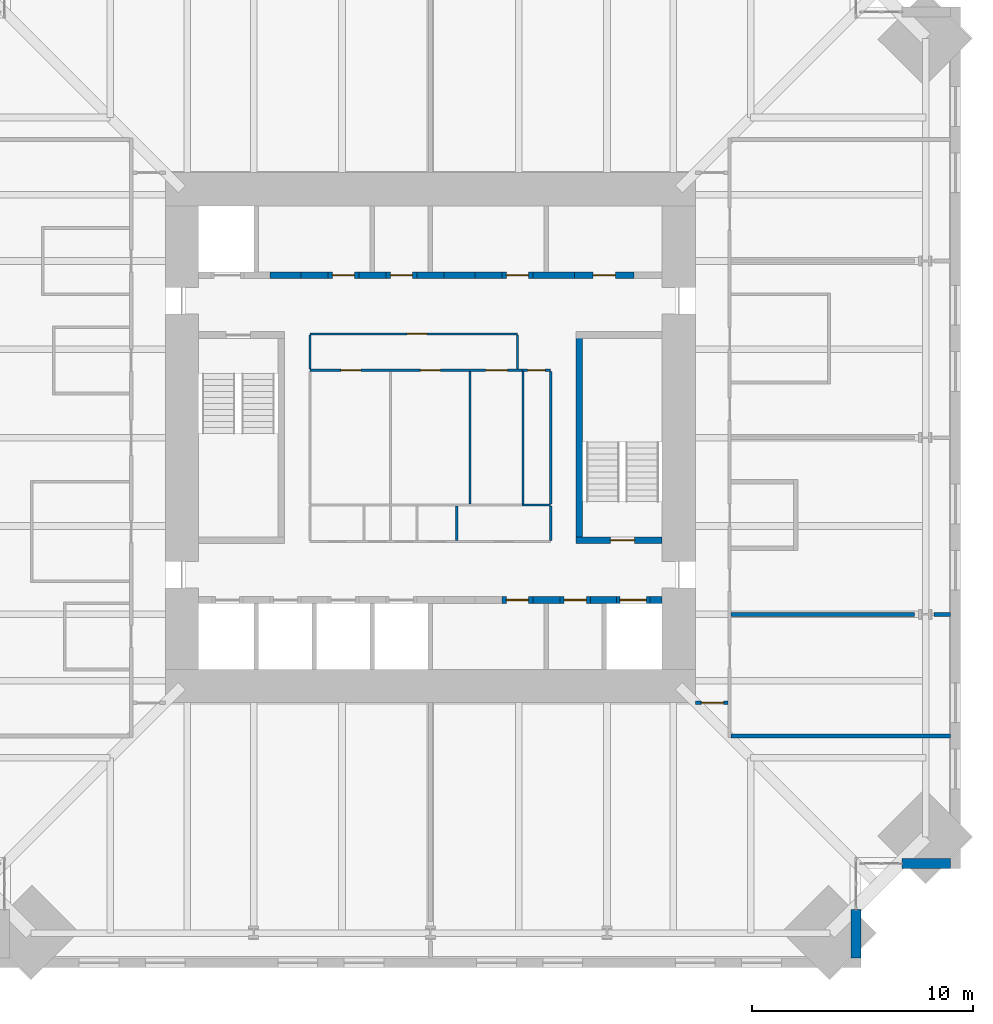
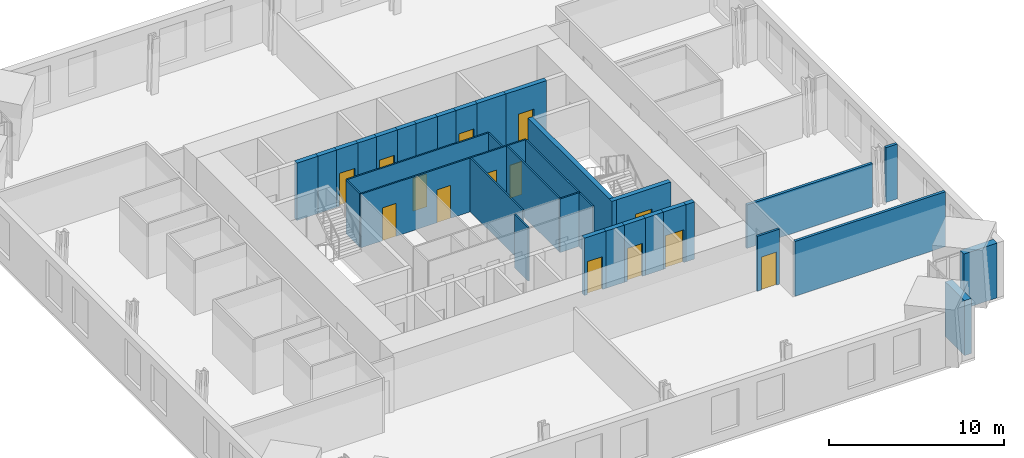
# One storey, part 12 of 15: 36 walls, 14 doors, 14 openings.
"""IFC4 building model written with IfcOpenShell, lengths in metres."""

from ifc_helpers import new_model, si_unit, direction, frame, frame_2d, origin, place, context, subcontext, project, spatial, rectangle, extrude, material, layer, layer_set, type_object, element, fill, save


model = new_model("IFC4")

# Units and contexts
model_context = context("Model", 3, precision=1e-05, world=origin(), true_north=direction((0.0, 1.0)))
body_context = subcontext(model_context, "Body", "Model", "MODEL_VIEW")
ifc_project = project(units=[si_unit("LENGTHUNIT", "METRE"), si_unit("AREAUNIT", "SQUARE_METRE"), si_unit("VOLUMEUNIT", "CUBIC_METRE"), si_unit("PLANEANGLEUNIT", "RADIAN"), si_unit("MASSUNIT", "GRAM", prefix="KILO")], contexts=[model_context])

# Site, building, storey
site_placement = place(None, origin())
site = spatial("IfcSite", under=ifc_project, at=site_placement, CompositionType="ELEMENT")
building_placement = place(site_placement, origin())
building = spatial("IfcBuilding", under=site, at=building_placement, Name="Peilmerk Tower", CompositionType="ELEMENT")
storey_placement = place(building_placement, frame((0.0, 0.0, 209.800048828125)))
storey = spatial("IfcBuildingStorey", under=building, at=storey_placement, Name="L45", CompositionType="ELEMENT", Elevation=209.800048828125)

# Walls
ifc_material_1 = material(Name="Precast concrete C45/55, board-marked finish", Category="concrete")
ifc_layer_1 = layer(ifc_material_1, 0.449951171875)
ifc_layer_set_1 = layer_set([ifc_layer_1], Name="Precast concrete C45/55, board-marked finish")
wall_type_1 = type_object("IfcWallType", Name="EW1 450 precast concrete facade wall, board-marked", PredefinedType="SOLIDWALL", material=ifc_layer_set_1)
for number, where, z_axis, x_axis, name in (
    (1, (19.27490234375, -21.353759765625, 0.0), (0.0, 0.0, 1.0), (0.0, -1.0, 0.0), "Facade wall SEA L45"),
    (2, (21.353759765625, -19.27490234375, 0.0), (0.0, 0.0, 1.0), (1.0, 0.0, 0.0), "Facade wall SEB L45"),
):
    element("IfcWall", number, at=place(storey_placement, frame(where, z_axis=z_axis, x_axis=x_axis)), inside=storey, type_object=wall_type_1, Name=name, PredefinedType="SOLIDWALL", context=body_context, shape_type="SweptSolid", body=[
        extrude(rectangle(XDim=2.1962890625, YDim=0.449951171875, at=frame_2d((1.09814453125, 0.0))), origin(), (0.0, 0.0, 1.0), 3.829833984375),
    ])

# Wall, opening, door
ifc_material_2 = material(Name="Calcium silicate block", Category="masonry")
ifc_layer_2 = layer(ifc_material_2, 0.14990234375)
ifc_layer_set_2 = layer_set([ifc_layer_2], Name="Calcium silicate block")
wall_type_2 = type_object("IfcWallType", Name="IW1 150 corridor partition, EI 60", PredefinedType="PARTITIONING", material=ifc_layer_set_2)
wall_1_placement = place(storey_placement, frame((13.47509765625, -12.0, 0.0), z_axis=(0.0, 0.0, 1.0), x_axis=(-1.0, 0.0, 0.0)))
wall_1 = element("IfcWall", 3, at=wall_1_placement, inside=storey, type_object=wall_type_2, Name="Corridor wall SE L45", PredefinedType="PARTITIONING", context=body_context, shape_type="SweptSolid", body=[
    extrude(rectangle(XDim=1.47509765625, YDim=0.14990234375, at=frame_2d((0.737548828125, 0.0))), origin(), (0.0, 0.0, 1.0), 3.829833984375),
])
opening_1_placement = place(wall_1_placement, frame((0.199951171875, 0.0, 0.0)))
opening_1 = element("IfcOpeningElement", 4, at=opening_1_placement, cuts=wall_1, Name="Opening D1", PredefinedType="OPENING", context=body_context, shape_type="SweptSolid", body=[
    extrude(rectangle(XDim=1.0, YDim=2.300048828125, at=frame_2d((0.5, 1.14990234375))), frame((0.0, 0.0849609375, 0.0), z_axis=(0.0, -1.0, 0.0), x_axis=(1.0, 0.0, 0.0)), (0.0, 0.0, 1.0), 0.169921875),
])
ifc_material_3 = material(Name="Timber door in steel frame", Category="steel")
door_type_1 = type_object("IfcDoorType", Name="D1 1000x2300 room door, EI2 30", OperationType="SINGLE_SWING_LEFT", PredefinedType="DOOR", material=ifc_material_3)
door_1_placement = place(opening_1_placement, origin())
door_1 = element("IfcDoor", 5, at=door_1_placement, inside=storey, type_object=door_type_1, Name="Door Open workspace L45", OperationType="SINGLE_SWING_LEFT", OverallHeight=2.300048828125, OverallWidth=1.0, PredefinedType="DOOR", context=body_context, shape_type="SweptSolid", body=[
    extrude(rectangle(XDim=1.0, YDim=2.300048828125, at=frame_2d((0.5, 1.14990234375))), frame((0.0, 0.02490234375, 0.0), z_axis=(0.0, -1.0, 0.0), x_axis=(1.0, 0.0, 0.0)), (0.0, 0.0, 1.0), 0.050048828125),
])
fill(opening_1, door_1)

# Wall
ifc_material_4 = material(Name="Concrete C35/45", Category="concrete")
ifc_layer_3 = layer(ifc_material_4, 0.300048828125)
ifc_layer_set_3 = layer_set([ifc_layer_3], Name="Concrete C35/45")
wall_type_3 = type_object("IfcWallType", Name="IW3 300 concrete stair enclosure wall, EI 120", PredefinedType="SOLIDWALL", material=ifc_layer_set_3)
wall_2_placement = place(storey_placement, frame((6.75, -4.800048828125, 0.0), z_axis=(0.0, 0.0, 1.0), x_axis=(0.0, 1.0, 0.0)))
element("IfcWall", 6, at=wall_2_placement, inside=storey, type_object=wall_type_3, Name="Stair 2 enclosure L45", PredefinedType="SOLIDWALL", context=body_context, shape_type="SweptSolid", body=[
    extrude(rectangle(XDim=9.60009765625, YDim=0.300048828125, at=frame_2d((4.800048828125, 0.0))), origin(), (0.0, 0.0, 1.0), 3.75),
])

# Wall, opening, door
wall_3_placement = place(storey_placement, frame((10.5, -4.64990234375, 0.0), z_axis=(0.0, 0.0, 1.0), x_axis=(-1.0, 0.0, 0.0)))
wall_3 = element("IfcWall", 7, at=wall_3_placement, inside=storey, type_object=wall_type_3, Name="Stair 2 enclosure L45", PredefinedType="SOLIDWALL", context=body_context, shape_type="SweptSolid", body=[
    extrude(rectangle(XDim=3.89990234375, YDim=0.300048828125, at=frame_2d((1.949951171875, 0.0))), origin(), (0.0, 0.0, 1.0), 3.75),
])
opening_2_placement = place(wall_3_placement, frame((1.25, 0.0, 0.0)))
opening_2 = element("IfcOpeningElement", 8, at=opening_2_placement, cuts=wall_3, Name="Opening D4", PredefinedType="OPENING", context=body_context, shape_type="SweptSolid", body=[
    extrude(rectangle(XDim=1.10009765625, YDim=2.300048828125, at=frame_2d((0.550048828125, 1.14990234375))), frame((0.0, 0.159912109375, 0.0), z_axis=(0.0, -1.0, 0.0), x_axis=(1.0, 0.0, 0.0)), (0.0, 0.0, 1.0), 0.320068359375),
])
ifc_material_5 = material(Name="Steel door in steel frame", Category="steel")
door_type_2 = type_object("IfcDoorType", Name="D4 1100x2300 stair door, EI2 60", OperationType="SINGLE_SWING_RIGHT", PredefinedType="DOOR", material=ifc_material_5)
door_2_placement = place(opening_2_placement, frame((1.10009765625, 0.0, 0.0), z_axis=(0.0, 0.0, 1.0), x_axis=(-1.0, 0.0, 0.0)))
door_2 = element("IfcDoor", 9, at=door_2_placement, inside=storey, type_object=door_type_2, Name="Stair 2 door L45", OperationType="SINGLE_SWING_RIGHT", OverallHeight=2.300048828125, OverallWidth=1.10009765625, PredefinedType="DOOR", context=body_context, shape_type="SweptSolid", body=[
    extrude(rectangle(XDim=1.10009765625, YDim=2.300048828125, at=frame_2d((0.550048828125, 1.14990234375))), frame((0.0, 0.02490234375, 0.0), z_axis=(0.0, -1.0, 0.0), x_axis=(1.0, 0.0, 0.0)), (0.0, 0.0, 1.0), 0.050048828125),
])
fill(opening_2, door_2)

# Wall, openings, doors
ifc_material_6 = material(Name="Plasterboard on steel studs", Category="steel")
ifc_layer_4 = layer(ifc_material_6, 0.10009765625)
ifc_layer_set_4 = layer_set([ifc_layer_4], Name="Plasterboard on steel studs")
wall_type_4 = type_object("IfcWallType", Name="IW4 100 WC partition", PredefinedType="PARTITIONING", material=ifc_layer_set_4)
wall_4_placement = place(storey_placement, frame((-5.449951171875, 3.050048828125, 0.0), z_axis=(0.0, 0.0, 1.0), x_axis=(1.0, 0.0, 0.0)))
wall_4 = element("IfcWall", 10, at=wall_4_placement, inside=storey, type_object=wall_type_4, Name="WC wall L45", PredefinedType="PARTITIONING", context=body_context, shape_type="SweptSolid", body=[
    extrude(rectangle(XDim=9.599853515625, YDim=0.10009765625, at=frame_2d((4.7998046875, 0.0))), origin(), (0.0, 0.0, 1.0), 3.75),
])
opening_3_placement = place(wall_4_placement, frame((1.39990234375, 0.0, 0.0)))
opening_3 = element("IfcOpeningElement", 11, at=opening_3_placement, cuts=wall_4, Name="Opening D5", PredefinedType="OPENING", context=body_context, shape_type="SweptSolid", body=[
    extrude(rectangle(XDim=0.89990234375, YDim=2.300048828125, at=frame_2d((0.449951171875, 1.14990234375))), frame((0.0, 0.06005859375, 0.0), z_axis=(0.0, -1.0, 0.0), x_axis=(1.0, 0.0, 0.0)), (0.0, 0.0, 1.0), 0.1201171875),
])
opening_4_placement = place(wall_4_placement, frame((5.0, 0.0, 0.0)))
opening_4 = element("IfcOpeningElement", 12, at=opening_4_placement, cuts=wall_4, Name="Opening D5", PredefinedType="OPENING", context=body_context, shape_type="SweptSolid", body=[
    extrude(rectangle(XDim=0.89990234375, YDim=2.300048828125, at=frame_2d((0.449951171875, 1.14990234375))), frame((0.0, 0.06005859375, 0.0), z_axis=(0.0, -1.0, 0.0), x_axis=(1.0, 0.0, 0.0)), (0.0, 0.0, 1.0), 0.1201171875),
])
opening_5_placement = place(wall_4_placement, frame((7.949951171875, 0.0, 0.0)))
opening_5 = element("IfcOpeningElement", 13, at=opening_5_placement, cuts=wall_4, Name="Opening D6", PredefinedType="OPENING", context=body_context, shape_type="SweptSolid", body=[
    extrude(rectangle(XDim=1.0, YDim=2.300048828125, at=frame_2d((0.5, 1.14990234375))), frame((0.0, 0.06005859375, 0.0), z_axis=(0.0, -1.0, 0.0), x_axis=(1.0, 0.0, 0.0)), (0.0, 0.0, 1.0), 0.1201171875),
])
door_type_3 = type_object("IfcDoorType", Name="D5 900x2300 WC door", OperationType="SINGLE_SWING_LEFT", PredefinedType="DOOR", material=ifc_material_3)
door_3_placement = place(opening_3_placement, frame((0.89990234375, 0.0, 0.0), z_axis=(0.0, 0.0, 1.0), x_axis=(-1.0, 0.0, 0.0)))
door_3 = element("IfcDoor", 14, at=door_3_placement, inside=storey, type_object=door_type_3, Name="Male toilets door L45", OperationType="SINGLE_SWING_LEFT", OverallHeight=2.300048828125, OverallWidth=0.89990234375, PredefinedType="DOOR", context=body_context, shape_type="SweptSolid", body=[
    extrude(rectangle(XDim=0.89990234375, YDim=2.300048828125, at=frame_2d((0.449951171875, 1.14990234375))), frame((0.0, 0.02490234375, 0.0), z_axis=(0.0, -1.0, 0.0), x_axis=(1.0, 0.0, 0.0)), (0.0, 0.0, 1.0), 0.050048828125),
])
fill(opening_3, door_3)
door_4_placement = place(opening_4_placement, frame((0.89990234375, 0.0, 0.0), z_axis=(0.0, 0.0, 1.0), x_axis=(-1.0, 0.0, 0.0)))
door_4 = element("IfcDoor", 15, at=door_4_placement, inside=storey, type_object=door_type_3, Name="Female toilets door L45", OperationType="SINGLE_SWING_LEFT", OverallHeight=2.300048828125, OverallWidth=0.89990234375, PredefinedType="DOOR", context=body_context, shape_type="SweptSolid", body=[
    extrude(rectangle(XDim=0.89990234375, YDim=2.300048828125, at=frame_2d((0.449951171875, 1.14990234375))), frame((0.0, 0.02490234375, 0.0), z_axis=(0.0, -1.0, 0.0), x_axis=(1.0, 0.0, 0.0)), (0.0, 0.0, 1.0), 0.050048828125),
])
fill(opening_4, door_4)
door_type_4 = type_object("IfcDoorType", Name="D6 1000x2300 accessible WC door", OperationType="SLIDING_TO_LEFT", PredefinedType="DOOR", material=ifc_material_3)
door_5_placement = place(opening_5_placement, frame((1.0, 0.0, 0.0), z_axis=(0.0, 0.0, 1.0), x_axis=(-1.0, 0.0, 0.0)))
door_5 = element("IfcDoor", 16, at=door_5_placement, inside=storey, type_object=door_type_4, Name="Accessible WC door L45", OperationType="SLIDING_TO_LEFT", OverallHeight=2.300048828125, OverallWidth=1.0, PredefinedType="DOOR", context=body_context, shape_type="SweptSolid", body=[
    extrude(rectangle(XDim=1.0, YDim=2.300048828125, at=frame_2d((0.5, 1.14990234375))), frame((0.0, 0.02490234375, 0.0), z_axis=(0.0, -1.0, 0.0), x_axis=(1.0, 0.0, 0.0)), (0.0, 0.0, 1.0), 0.050048828125),
])
fill(opening_5, door_5)

# Wall
wall_5_placement = place(storey_placement, frame((1.800048828125, -3.0, 0.0), z_axis=(0.0, 0.0, 1.0), x_axis=(0.0, 1.0, 0.0)))
element("IfcWall", 17, at=wall_5_placement, inside=storey, type_object=wall_type_4, Name="WC wall L45", PredefinedType="PARTITIONING", context=body_context, shape_type="SweptSolid", body=[
    extrude(rectangle(XDim=6.0, YDim=0.10009765625, at=frame_2d((3.0, 0.0))), origin(), (0.0, 0.0, 1.0), 3.75),
])

# Wall, opening, door
ifc_material_7 = material(Name="Calcium silicate board on steel studs", Category="steel")
ifc_layer_5 = layer(ifc_material_7, 0.10009765625)
ifc_layer_set_5 = layer_set([ifc_layer_5], Name="Calcium silicate board on steel studs")
wall_type_5 = type_object("IfcWallType", Name="IW5 100 riser enclosure wall, EI 60", PredefinedType="PARTITIONING", material=ifc_layer_set_5)
wall_6_placement = place(storey_placement, frame((4.14990234375, 3.050048828125, 0.0), z_axis=(0.0, 0.0, 1.0), x_axis=(1.0, 0.0, 0.0)))
wall_6 = element("IfcWall", 18, at=wall_6_placement, inside=storey, type_object=wall_type_5, Name="Riser wall L45", PredefinedType="PARTITIONING", context=body_context, shape_type="SweptSolid", body=[
    extrude(rectangle(XDim=1.300048828125, YDim=0.10009765625, at=frame_2d((0.64990234375, 0.0))), origin(), (0.0, 0.0, 1.0), 3.75),
])
opening_6_placement = place(wall_6_placement, frame((0.25, 0.0, 0.0)))
opening_6 = element("IfcOpeningElement", 19, at=opening_6_placement, cuts=wall_6, Name="Opening D7", PredefinedType="OPENING", context=body_context, shape_type="SweptSolid", body=[
    extrude(rectangle(XDim=0.800048828125, YDim=2.300048828125, at=frame_2d((0.39990234375, 1.14990234375))), frame((0.0, 0.06005859375, 0.0), z_axis=(0.0, -1.0, 0.0), x_axis=(1.0, 0.0, 0.0)), (0.0, 0.0, 1.0), 0.1201171875),
])
door_type_5 = type_object("IfcDoorType", Name="D7 800x2300 riser access door, EI2 60", OperationType="SINGLE_SWING_RIGHT", PredefinedType="DOOR", material=ifc_material_5)
door_6_placement = place(opening_6_placement, frame((0.800048828125, 0.0, 0.0), z_axis=(0.0, 0.0, 1.0), x_axis=(-1.0, 0.0, 0.0)))
door_6 = element("IfcDoor", 20, at=door_6_placement, inside=storey, type_object=door_type_5, Name="Plumbing riser door L45", OperationType="SINGLE_SWING_RIGHT", OverallHeight=2.300048828125, OverallWidth=0.800048828125, PredefinedType="DOOR", context=body_context, shape_type="SweptSolid", body=[
    extrude(rectangle(XDim=0.800048828125, YDim=2.300048828125, at=frame_2d((0.39990234375, 1.14990234375))), frame((0.0, 0.02490234375, 0.0), z_axis=(0.0, -1.0, 0.0), x_axis=(1.0, 0.0, 0.0)), (0.0, 0.0, 1.0), 0.050048828125),
])
fill(opening_6, door_6)

# Walls
wall_7_placement = place(storey_placement, frame((5.449951171875, -3.050048828125, 0.0), z_axis=(0.0, 0.0, 1.0), x_axis=(-1.0, 0.0, 0.0)))
element("IfcWall", 21, at=wall_7_placement, inside=storey, type_object=wall_type_5, Name="Riser wall L45", PredefinedType="PARTITIONING", context=body_context, shape_type="SweptSolid", body=[
    extrude(rectangle(XDim=1.300048828125, YDim=0.10009765625, at=frame_2d((0.64990234375, 0.0))), origin(), (0.0, 0.0, 1.0), 3.75),
])
for number, where, z_axis, x_axis, name in (
    (22, (5.449951171875, 3.0, 0.0), (0.0, 0.0, 1.0), (0.0, -1.0, 0.0), "Riser wall L45"),
    (23, (4.199951171875, -3.0, 0.0), (0.0, 0.0, 1.0), (0.0, 1.0, 0.0), "Riser wall L45"),
):
    element("IfcWall", number, at=place(storey_placement, frame(where, z_axis=z_axis, x_axis=x_axis)), inside=storey, type_object=wall_type_5, Name=name, PredefinedType="PARTITIONING", context=body_context, shape_type="SweptSolid", body=[
        extrude(rectangle(XDim=6.0, YDim=0.10009765625, at=frame_2d((3.0, 0.0))), origin(), (0.0, 0.0, 1.0), 3.75),
    ])
for number, where, z_axis, x_axis, name in (
    (24, (5.449951171875, -3.10009765625, 0.0), (0.0, 0.0, 1.0), (0.0, -1.0, 0.0), "Riser wall L45"),
    (25, (1.199951171875, -3.10009765625, 0.0), (0.0, 0.0, 1.0), (0.0, -1.0, 0.0), "Riser wall L45"),
):
    element("IfcWall", number, at=place(storey_placement, frame(where, z_axis=z_axis, x_axis=x_axis)), inside=storey, type_object=wall_type_5, Name=name, PredefinedType="PARTITIONING", context=body_context, shape_type="SweptSolid", body=[
        extrude(rectangle(XDim=1.5498046875, YDim=0.10009765625, at=frame_2d((0.77490234375, 0.0))), origin(), (0.0, 0.0, 1.0), 3.75),
    ])
ifc_layer_6 = layer(ifc_material_2, 0.175048828125)
ifc_layer_set_6 = layer_set([ifc_layer_6], Name="Calcium silicate block")
wall_type_6 = type_object("IfcWallType", Name="IW8 175 tenant separating wall, EI 60", PredefinedType="PARTITIONING", material=ifc_layer_set_6)
wall_8_placement = place(storey_placement, frame((23.550048828125, -13.5, 0.0), z_axis=(0.0, 0.0, 1.0), x_axis=(-1.0, 0.0, 0.0)))
element("IfcWall", 26, at=wall_8_placement, inside=storey, type_object=wall_type_6, Name="Tenant separating wall SE L45", PredefinedType="PARTITIONING", context=body_context, shape_type="SweptSolid", body=[
    extrude(rectangle(XDim=9.925048828125, YDim=0.175048828125, at=frame_2d((4.96240234375, 0.0))), origin(), (0.0, 0.0, 1.0), 3.829833984375),
])
wall_9_placement = place(storey_placement, frame((13.625, -8.0, 0.0), z_axis=(0.0, 0.0, 1.0), x_axis=(1.0, 0.0, 0.0)))
element("IfcWall", 27, at=wall_9_placement, inside=storey, type_object=wall_type_6, Name="Tenant separating wall E1 L45", PredefinedType="PARTITIONING", context=body_context, shape_type="SweptSolid", body=[
    extrude(rectangle(XDim=8.286865234375, YDim=0.175048828125, at=frame_2d((4.1435546875, 0.0))), origin(), (0.0, 0.0, 1.0), 3.0400390625),
])
wall_10_placement = place(storey_placement, frame((22.801025390625, -8.0, 0.0), z_axis=(0.0, 0.0, 1.0), x_axis=(1.0, 0.0, 0.0)))
element("IfcWall", 28, at=wall_10_placement, inside=storey, type_object=wall_type_6, Name="Tenant separating wall E1b L45", PredefinedType="PARTITIONING", context=body_context, shape_type="SweptSolid", body=[
    extrude(rectangle(XDim=0.7490234375, YDim=0.175048828125, at=frame_2d((0.37451171875, 0.0))), origin(), (0.0, 0.0, 1.0), 3.829833984375),
])

# Wall, opening, door
ifc_material_8 = material(Name="Fire-resisting plasterboard on steel studs", Category="steel")
ifc_layer_7 = layer(ifc_material_8, 0.10009765625)
ifc_layer_set_7 = layer_set([ifc_layer_7], Name="Fire-resisting plasterboard on steel studs")
wall_type_7 = type_object("IfcWallType", Name="IW9 100 WC lobby wall, EI 30", PredefinedType="PARTITIONING", material=ifc_layer_set_7)
wall_11_placement = place(storey_placement, frame((-5.449951171875, 4.699951171875, 0.0), z_axis=(0.0, 0.0, 1.0), x_axis=(1.0, 0.0, 0.0)))
wall_11 = element("IfcWall", 29, at=wall_11_placement, inside=storey, type_object=wall_type_7, Name="WC lobby wall L45", PredefinedType="PARTITIONING", context=body_context, shape_type="SweptSolid", body=[
    extrude(rectangle(XDim=9.39990234375, YDim=0.10009765625, at=frame_2d((4.699951171875, 0.0))), origin(), (0.0, 0.0, 1.0), 3.75),
])
opening_7_placement = place(wall_11_placement, frame((4.39990234375, 0.0, 0.0)))
opening_7 = element("IfcOpeningElement", 30, at=opening_7_placement, cuts=wall_11, Name="Opening D11", PredefinedType="OPENING", context=body_context, shape_type="SweptSolid", body=[
    extrude(rectangle(XDim=0.89990234375, YDim=2.300048828125, at=frame_2d((0.449951171875, 1.14990234375))), frame((0.0, 0.06005859375, 0.0), z_axis=(0.0, -1.0, 0.0), x_axis=(1.0, 0.0, 0.0)), (0.0, 0.0, 1.0), 0.1201171875),
])
door_type_6 = type_object("IfcDoorType", Name="D11 900x2300 WC lobby door, EI2 30", OperationType="SINGLE_SWING_LEFT", PredefinedType="DOOR", material=ifc_material_3)
door_7_placement = place(opening_7_placement, frame((0.89990234375, 0.0, 0.0), z_axis=(0.0, 0.0, 1.0), x_axis=(-1.0, 0.0, 0.0)))
door_7 = element("IfcDoor", 31, at=door_7_placement, inside=storey, type_object=door_type_6, Name="WC lobby door L45", OperationType="SINGLE_SWING_LEFT", OverallHeight=2.300048828125, OverallWidth=0.89990234375, PredefinedType="DOOR", context=body_context, shape_type="SweptSolid", body=[
    extrude(rectangle(XDim=0.89990234375, YDim=2.300048828125, at=frame_2d((0.449951171875, 1.14990234375))), frame((0.0, 0.02490234375, 0.0), z_axis=(0.0, -1.0, 0.0), x_axis=(1.0, 0.0, 0.0)), (0.0, 0.0, 1.0), 0.050048828125),
])
fill(opening_7, door_7)

# Walls
for number, where, z_axis, x_axis, name in (
    (32, (-5.449951171875, 3.10009765625, 0.0), (0.0, 0.0, 1.0), (0.0, 1.0, 0.0), "WC lobby wall L45"),
    (33, (3.949951171875, 3.10009765625, 0.0), (0.0, 0.0, 1.0), (0.0, 1.0, 0.0), "WC lobby wall L45"),
):
    element("IfcWall", number, at=place(storey_placement, frame(where, z_axis=z_axis, x_axis=x_axis)), inside=storey, type_object=wall_type_7, Name=name, PredefinedType="PARTITIONING", context=body_context, shape_type="SweptSolid", body=[
        extrude(rectangle(XDim=1.5498046875, YDim=0.10009765625, at=frame_2d((0.77490234375, 0.0))), origin(), (0.0, 0.0, 1.0), 3.75),
    ])
ifc_layer_8 = layer(ifc_material_2, 0.300048828125)
ifc_layer_set_8 = layer_set([ifc_layer_8], Name="Calcium silicate block")
wall_type_8 = type_object("IfcWallType", Name="SH2 300 lift landing door panel, EI 120", PredefinedType="PARTITIONING", material=ifc_layer_set_8)
wall_12_placement = place(storey_placement, frame((-7.262451171875, 7.35009765625, 0.0), z_axis=(0.0, 0.0, 1.0), x_axis=(1.0, 0.0, 0.0)))
element("IfcWall", 34, at=wall_12_placement, inside=storey, type_object=wall_type_8, Name="Lift door panel N A1 L45", PredefinedType="PARTITIONING", context=body_context, shape_type="SweptSolid", body=[
    extrude(rectangle(XDim=1.39990234375, YDim=0.300048828125, at=frame_2d((0.699951171875, 0.0))), origin(), (0.0, 0.0, 1.0), 4.0),
])

# Wall, opening, door
wall_13_placement = place(storey_placement, frame((-4.637451171875, 7.35009765625, 0.0), z_axis=(0.0, 0.0, 1.0), x_axis=(1.0, 0.0, 0.0)))
wall_13 = element("IfcWall", 35, at=wall_13_placement, inside=storey, type_object=wall_type_8, Name="Lift door panel N A2 L45", PredefinedType="PARTITIONING", context=body_context, shape_type="SweptSolid", body=[
    extrude(rectangle(XDim=1.39990234375, YDim=0.300048828125, at=frame_2d((0.699951171875, 0.0))), origin(), (0.0, 0.0, 1.0), 4.0),
])
opening_8_placement = place(wall_13_placement, frame((0.199951171875, 0.0, 0.0)))
opening_8 = element("IfcOpeningElement", 36, at=opening_8_placement, cuts=wall_13, Name="Opening D10", PredefinedType="OPENING", context=body_context, shape_type="SweptSolid", body=[
    extrude(rectangle(XDim=1.0, YDim=2.300048828125, at=frame_2d((0.5, 1.14990234375))), frame((0.0, 0.159912109375, 0.0), z_axis=(0.0, -1.0, 0.0), x_axis=(1.0, 0.0, 0.0)), (0.0, 0.0, 1.0), 0.320068359375),
])
door_type_7 = type_object("IfcDoorType", Name="D10 1000x2300 core room door, EI2 60", OperationType="SINGLE_SWING_RIGHT", PredefinedType="DOOR", material=ifc_material_5)
door_8_placement = place(opening_8_placement, origin())
door_8 = element("IfcDoor", 37, at=door_8_placement, inside=storey, type_object=door_type_7, Name="Door Staff room L45", OperationType="SINGLE_SWING_RIGHT", OverallHeight=2.300048828125, OverallWidth=1.0, PredefinedType="DOOR", context=body_context, shape_type="SweptSolid", body=[
    extrude(rectangle(XDim=1.0, YDim=2.300048828125, at=frame_2d((0.5, 1.14990234375))), frame((0.0, 0.02490234375, 0.0), z_axis=(0.0, -1.0, 0.0), x_axis=(1.0, 0.0, 0.0)), (0.0, 0.0, 1.0), 0.050048828125),
])
fill(opening_8, door_8)

wall_14_placement = place(storey_placement, frame((-2.012451171875, 7.35009765625, 0.0), z_axis=(0.0, 0.0, 1.0), x_axis=(1.0, 0.0, 0.0)))
wall_14 = element("IfcWall", 38, at=wall_14_placement, inside=storey, type_object=wall_type_8, Name="Lift door panel N A3 L45", PredefinedType="PARTITIONING", context=body_context, shape_type="SweptSolid", body=[
    extrude(rectangle(XDim=1.39990234375, YDim=0.300048828125, at=frame_2d((0.699951171875, 0.0))), origin(), (0.0, 0.0, 1.0), 4.0),
])
opening_9_placement = place(wall_14_placement, frame((0.199951171875, 0.0, 0.0)))
opening_9 = element("IfcOpeningElement", 39, at=opening_9_placement, cuts=wall_14, Name="Opening D10", PredefinedType="OPENING", context=body_context, shape_type="SweptSolid", body=[
    extrude(rectangle(XDim=1.0, YDim=2.300048828125, at=frame_2d((0.5, 1.14990234375))), frame((0.0, 0.159912109375, 0.0), z_axis=(0.0, -1.0, 0.0), x_axis=(1.0, 0.0, 0.0)), (0.0, 0.0, 1.0), 0.320068359375),
])
door_9_placement = place(opening_9_placement, origin())
door_9 = element("IfcDoor", 40, at=door_9_placement, inside=storey, type_object=door_type_7, Name="Door Water meter room L45", OperationType="SINGLE_SWING_RIGHT", OverallHeight=2.300048828125, OverallWidth=1.0, PredefinedType="DOOR", context=body_context, shape_type="SweptSolid", body=[
    extrude(rectangle(XDim=1.0, YDim=2.300048828125, at=frame_2d((0.5, 1.14990234375))), frame((0.0, 0.02490234375, 0.0), z_axis=(0.0, -1.0, 0.0), x_axis=(1.0, 0.0, 0.0)), (0.0, 0.0, 1.0), 0.050048828125),
])
fill(opening_9, door_9)

# Wall
wall_15_placement = place(storey_placement, frame((0.612548828125, 7.35009765625, 0.0), z_axis=(0.0, 0.0, 1.0), x_axis=(1.0, 0.0, 0.0)))
element("IfcWall", 41, at=wall_15_placement, inside=storey, type_object=wall_type_8, Name="Lift door panel N S1 L45", PredefinedType="PARTITIONING", context=body_context, shape_type="SweptSolid", body=[
    extrude(rectangle(XDim=1.39990234375, YDim=0.300048828125, at=frame_2d((0.699951171875, 0.0))), origin(), (0.0, 0.0, 1.0), 4.0),
])

# Wall, opening, door
wall_16_placement = place(storey_placement, frame((3.237548828125, 7.35009765625, 0.0), z_axis=(0.0, 0.0, 1.0), x_axis=(1.0, 0.0, 0.0)))
wall_16 = element("IfcWall", 42, at=wall_16_placement, inside=storey, type_object=wall_type_8, Name="Lift door panel N S2 L45", PredefinedType="PARTITIONING", context=body_context, shape_type="SweptSolid", body=[
    extrude(rectangle(XDim=1.39990234375, YDim=0.300048828125, at=frame_2d((0.699951171875, 0.0))), origin(), (0.0, 0.0, 1.0), 4.0),
])
opening_10_placement = place(wall_16_placement, frame((0.199951171875, 0.0, 0.0)))
opening_10 = element("IfcOpeningElement", 43, at=opening_10_placement, cuts=wall_16, Name="Opening D10", PredefinedType="OPENING", context=body_context, shape_type="SweptSolid", body=[
    extrude(rectangle(XDim=1.0, YDim=2.300048828125, at=frame_2d((0.5, 1.14990234375))), frame((0.0, 0.159912109375, 0.0), z_axis=(0.0, -1.0, 0.0), x_axis=(1.0, 0.0, 0.0)), (0.0, 0.0, 1.0), 0.320068359375),
])
door_10_placement = place(opening_10_placement, origin())
door_10 = element("IfcDoor", 44, at=door_10_placement, inside=storey, type_object=door_type_7, Name="Door First aid room L45", OperationType="SINGLE_SWING_RIGHT", OverallHeight=2.300048828125, OverallWidth=1.0, PredefinedType="DOOR", context=body_context, shape_type="SweptSolid", body=[
    extrude(rectangle(XDim=1.0, YDim=2.300048828125, at=frame_2d((0.5, 1.14990234375))), frame((0.0, 0.02490234375, 0.0), z_axis=(0.0, -1.0, 0.0), x_axis=(1.0, 0.0, 0.0)), (0.0, 0.0, 1.0), 0.050048828125),
])
fill(opening_10, door_10)

wall_17_placement = place(storey_placement, frame((6.52490234375, 7.35009765625, 0.0), z_axis=(0.0, 0.0, 1.0), x_axis=(1.0, 0.0, 0.0)))
wall_17 = element("IfcWall", 45, at=wall_17_placement, inside=storey, type_object=wall_type_8, Name="Lift door panel N GL1 L45", PredefinedType="PARTITIONING", context=body_context, shape_type="SweptSolid", body=[
    extrude(rectangle(XDim=2.7001953125, YDim=0.300048828125, at=frame_2d((1.35009765625, 0.0))), origin(), (0.0, 0.0, 1.0), 4.0),
])
opening_11_placement = place(wall_17_placement, frame((0.85009765625, 0.0, 0.0)))
opening_11 = element("IfcOpeningElement", 46, at=opening_11_placement, cuts=wall_17, Name="Opening D10", PredefinedType="OPENING", context=body_context, shape_type="SweptSolid", body=[
    extrude(rectangle(XDim=1.0, YDim=2.300048828125, at=frame_2d((0.5, 1.14990234375))), frame((0.0, 0.159912109375, 0.0), z_axis=(0.0, -1.0, 0.0), x_axis=(1.0, 0.0, 0.0)), (0.0, 0.0, 1.0), 0.320068359375),
])
door_11_placement = place(opening_11_placement, origin())
door_11 = element("IfcDoor", 47, at=door_11_placement, inside=storey, type_object=door_type_7, Name="Door Staff WC L45", OperationType="SINGLE_SWING_RIGHT", OverallHeight=2.300048828125, OverallWidth=1.0, PredefinedType="DOOR", context=body_context, shape_type="SweptSolid", body=[
    extrude(rectangle(XDim=1.0, YDim=2.300048828125, at=frame_2d((0.5, 1.14990234375))), frame((0.0, 0.02490234375, 0.0), z_axis=(0.0, -1.0, 0.0), x_axis=(1.0, 0.0, 0.0)), (0.0, 0.0, 1.0), 0.050048828125),
])
fill(opening_11, door_11)

wall_18_placement = place(storey_placement, frame((3.237548828125, -7.35009765625, 0.0), z_axis=(0.0, 0.0, 1.0), x_axis=(1.0, 0.0, 0.0)))
wall_18 = element("IfcWall", 48, at=wall_18_placement, inside=storey, type_object=wall_type_8, Name="Lift door panel S B2 L45", PredefinedType="PARTITIONING", context=body_context, shape_type="SweptSolid", body=[
    extrude(rectangle(XDim=1.39990234375, YDim=0.300048828125, at=frame_2d((0.699951171875, 0.0))), origin(), (0.0, 0.0, 1.0), 4.0),
])
opening_12_placement = place(wall_18_placement, frame((0.199951171875, 0.0, 0.0)))
opening_12 = element("IfcOpeningElement", 49, at=opening_12_placement, cuts=wall_18, Name="Opening D10", PredefinedType="OPENING", context=body_context, shape_type="SweptSolid", body=[
    extrude(rectangle(XDim=1.0, YDim=2.300048828125, at=frame_2d((0.5, 1.14990234375))), frame((0.0, 0.159912109375, 0.0), z_axis=(0.0, -1.0, 0.0), x_axis=(1.0, 0.0, 0.0)), (0.0, 0.0, 1.0), 0.320068359375),
])
door_12_placement = place(opening_12_placement, frame((1.0, 0.0, 0.0), z_axis=(0.0, 0.0, 1.0), x_axis=(-1.0, 0.0, 0.0)))
door_12 = element("IfcDoor", 50, at=door_12_placement, inside=storey, type_object=door_type_7, Name="Door Mail room L45", OperationType="SINGLE_SWING_RIGHT", OverallHeight=2.300048828125, OverallWidth=1.0, PredefinedType="DOOR", context=body_context, shape_type="SweptSolid", body=[
    extrude(rectangle(XDim=1.0, YDim=2.300048828125, at=frame_2d((0.5, 1.14990234375))), frame((0.0, 0.02490234375, 0.0), z_axis=(0.0, -1.0, 0.0), x_axis=(1.0, 0.0, 0.0)), (0.0, 0.0, 1.0), 0.050048828125),
])
fill(opening_12, door_12)

wall_19_placement = place(storey_placement, frame((5.862548828125, -7.35009765625, 0.0), z_axis=(0.0, 0.0, 1.0), x_axis=(1.0, 0.0, 0.0)))
wall_19 = element("IfcWall", 51, at=wall_19_placement, inside=storey, type_object=wall_type_8, Name="Lift door panel S B1 L45", PredefinedType="PARTITIONING", context=body_context, shape_type="SweptSolid", body=[
    extrude(rectangle(XDim=1.39990234375, YDim=0.300048828125, at=frame_2d((0.699951171875, 0.0))), origin(), (0.0, 0.0, 1.0), 4.0),
])
opening_13_placement = place(wall_19_placement, frame((0.199951171875, 0.0, 0.0)))
opening_13 = element("IfcOpeningElement", 52, at=opening_13_placement, cuts=wall_19, Name="Opening D10", PredefinedType="OPENING", context=body_context, shape_type="SweptSolid", body=[
    extrude(rectangle(XDim=1.0, YDim=2.300048828125, at=frame_2d((0.5, 1.14990234375))), frame((0.0, 0.159912109375, 0.0), z_axis=(0.0, -1.0, 0.0), x_axis=(1.0, 0.0, 0.0)), (0.0, 0.0, 1.0), 0.320068359375),
])
door_13_placement = place(opening_13_placement, frame((1.0, 0.0, 0.0), z_axis=(0.0, 0.0, 1.0), x_axis=(-1.0, 0.0, 0.0)))
door_13 = element("IfcDoor", 53, at=door_13_placement, inside=storey, type_object=door_type_7, Name="Door IT room L45", OperationType="SINGLE_SWING_RIGHT", OverallHeight=2.300048828125, OverallWidth=1.0, PredefinedType="DOOR", context=body_context, shape_type="SweptSolid", body=[
    extrude(rectangle(XDim=1.0, YDim=2.300048828125, at=frame_2d((0.5, 1.14990234375))), frame((0.0, 0.02490234375, 0.0), z_axis=(0.0, -1.0, 0.0), x_axis=(1.0, 0.0, 0.0)), (0.0, 0.0, 1.0), 0.050048828125),
])
fill(opening_13, door_13)

wall_20_placement = place(storey_placement, frame((8.4375, -7.35009765625, 0.0), z_axis=(0.0, 0.0, 1.0), x_axis=(1.0, 0.0, 0.0)))
wall_20 = element("IfcWall", 54, at=wall_20_placement, inside=storey, type_object=wall_type_8, Name="Lift door panel S FL2 L45", PredefinedType="PARTITIONING", context=body_context, shape_type="SweptSolid", body=[
    extrude(rectangle(XDim=1.5, YDim=0.300048828125, at=frame_2d((0.75, 0.0))), origin(), (0.0, 0.0, 1.0), 4.0),
])
opening_14_placement = place(wall_20_placement, frame((0.14990234375, 0.0, 0.0)))
opening_14 = element("IfcOpeningElement", 55, at=opening_14_placement, cuts=wall_20, Name="Opening LD2", PredefinedType="OPENING", context=body_context, shape_type="SweptSolid", body=[
    extrude(rectangle(XDim=1.199951171875, YDim=2.300048828125, at=frame_2d((0.60009765625, 1.14990234375))), frame((0.0, 0.159912109375, 0.0), z_axis=(0.0, -1.0, 0.0), x_axis=(1.0, 0.0, 0.0)), (0.0, 0.0, 1.0), 0.320068359375),
])
ifc_material_9 = material(Name="Stainless steel landing door", Category="steel")
door_type_8 = type_object("IfcDoorType", Name="LD2 1200x2300 lift landing door, sliding, EI2 60", OperationType="SLIDING_TO_LEFT", PredefinedType="DOOR", material=ifc_material_9)
door_14_placement = place(opening_14_placement, origin())
door_14 = element("IfcDoor", 56, at=door_14_placement, inside=storey, type_object=door_type_8, Name="Lift landing door FL2 L45", OperationType="SLIDING_TO_LEFT", OverallHeight=2.300048828125, OverallWidth=1.199951171875, PredefinedType="DOOR", context=body_context, shape_type="SweptSolid", body=[
    extrude(rectangle(XDim=1.199951171875, YDim=2.300048828125, at=frame_2d((0.60009765625, 1.14990234375))), frame((0.0, 0.02490234375, 0.0), z_axis=(0.0, -1.0, 0.0), x_axis=(1.0, 0.0, 0.0)), (0.0, 0.0, 1.0), 0.050048828125),
])
fill(opening_14, door_14)

# Walls
ifc_material_10 = material(Name="Concrete C55/67", Category="concrete")
ifc_layer_9 = layer(ifc_material_10, 0.300048828125)
ifc_layer_set_9 = layer_set([ifc_layer_9], Name="Concrete C55/67")
wall_type_9 = type_object("IfcWallType", Name="SW2 300 lift bank pier", PredefinedType="SHEAR", material=ifc_layer_set_9)
for number, where, z_axis, x_axis, name in (
    (57, (-5.862548828125, 7.35009765625, 0.0), (0.0, 0.0, 1.0), (1.0, 0.0, 0.0), "Lift bank pier N L45"),
    (58, (-3.237548828125, 7.35009765625, 0.0), (0.0, 0.0, 1.0), (1.0, 0.0, 0.0), "Lift bank pier N L45"),
    (59, (-0.612548828125, 7.35009765625, 0.0), (0.0, 0.0, 1.0), (1.0, 0.0, 0.0), "Lift bank pier N L45"),
    (60, (2.012451171875, 7.35009765625, 0.0), (0.0, 0.0, 1.0), (1.0, 0.0, 0.0), "Lift bank pier N L45"),
):
    element("IfcWall", number, at=place(storey_placement, frame(where, z_axis=z_axis, x_axis=x_axis)), inside=storey, type_object=wall_type_9, Name=name, PredefinedType="SHEAR", context=body_context, shape_type="SweptSolid", body=[
        extrude(rectangle(XDim=1.22509765625, YDim=0.300048828125, at=frame_2d((0.612548828125, 0.0))), origin(), (0.0, 0.0, 1.0), 4.0),
    ])
wall_21_placement = place(storey_placement, frame((4.637451171875, 7.35009765625, 0.0), z_axis=(0.0, 0.0, 1.0), x_axis=(1.0, 0.0, 0.0)))
element("IfcWall", 61, at=wall_21_placement, inside=storey, type_object=wall_type_9, Name="Lift bank pier N L45", PredefinedType="SHEAR", context=body_context, shape_type="SweptSolid", body=[
    extrude(rectangle(XDim=1.887451171875, YDim=0.300048828125, at=frame_2d((0.94384765625, 0.0))), origin(), (0.0, 0.0, 1.0), 4.0),
])
wall_22_placement = place(storey_placement, frame((4.637451171875, -7.35009765625, 0.0), z_axis=(0.0, 0.0, 1.0), x_axis=(1.0, 0.0, 0.0)))
element("IfcWall", 62, at=wall_22_placement, inside=storey, type_object=wall_type_9, Name="Lift bank pier S L45", PredefinedType="SHEAR", context=body_context, shape_type="SweptSolid", body=[
    extrude(rectangle(XDim=1.22509765625, YDim=0.300048828125, at=frame_2d((0.612548828125, 0.0))), origin(), (0.0, 0.0, 1.0), 4.0),
])
wall_23_placement = place(storey_placement, frame((7.262451171875, -7.35009765625, 0.0), z_axis=(0.0, 0.0, 1.0), x_axis=(1.0, 0.0, 0.0)))
element("IfcWall", 63, at=wall_23_placement, inside=storey, type_object=wall_type_9, Name="Lift bank pier S L45", PredefinedType="SHEAR", context=body_context, shape_type="SweptSolid", body=[
    extrude(rectangle(XDim=1.175048828125, YDim=0.300048828125, at=frame_2d((0.58740234375, 0.0))), origin(), (0.0, 0.0, 1.0), 4.0),
])
wall_24_placement = place(storey_placement, frame((9.9375, -7.35009765625, 0.0), z_axis=(0.0, 0.0, 1.0), x_axis=(1.0, 0.0, 0.0)))
element("IfcWall", 64, at=wall_24_placement, inside=storey, type_object=wall_type_9, Name="Lift bank pier S L45", PredefinedType="SHEAR", context=body_context, shape_type="SweptSolid", body=[
    extrude(rectangle(XDim=0.5625, YDim=0.300048828125, at=frame_2d((0.28125, 0.0))), origin(), (0.0, 0.0, 1.0), 4.0),
])

save(model, "model.ifc")
